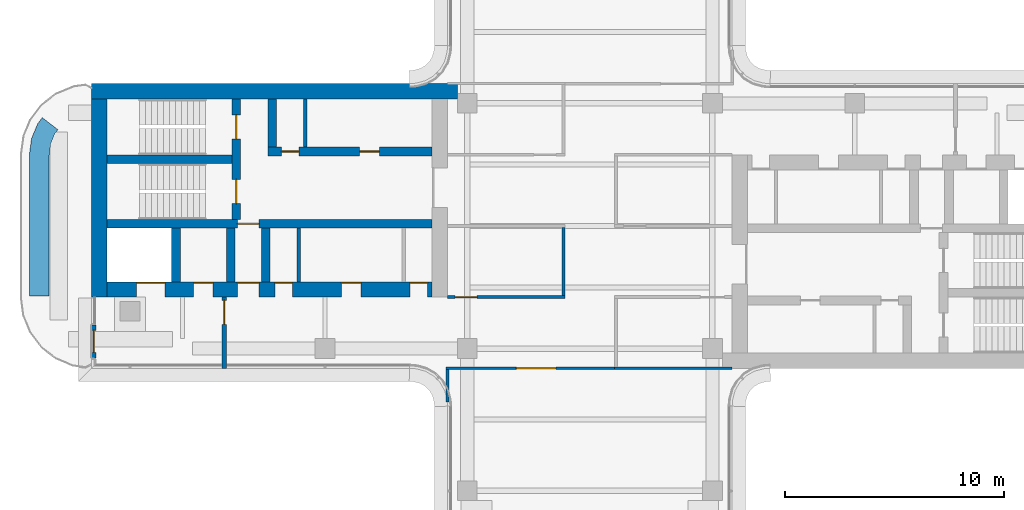
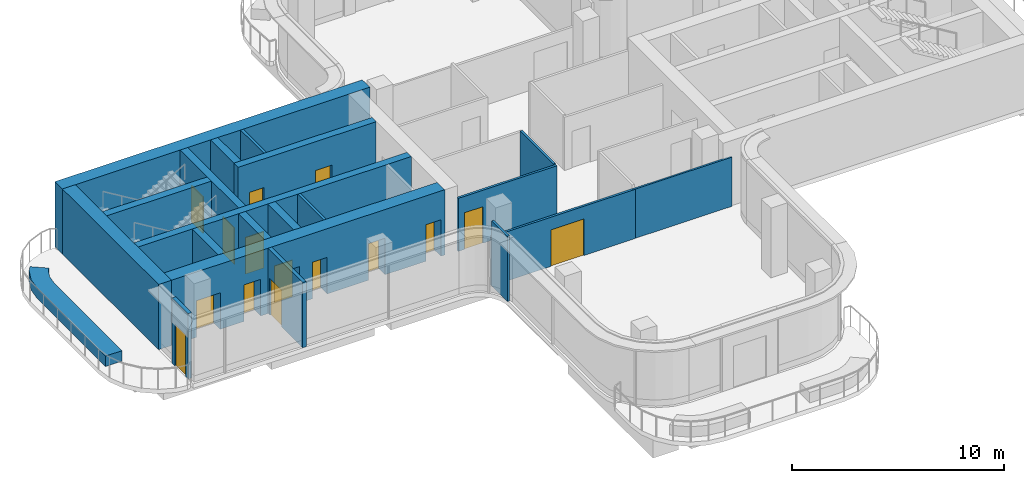
# One storey, part 14 of 18: 21 walls, 15 doors, 15 openings.
"""IFC4 building model written with IfcOpenShell, lengths in metres."""

from ifc_helpers import new_model, si_unit, direction, frame, frame_2d, origin, place, context, subcontext, project, spatial, polyline, rectangle, outline, extrude, source, transform, mapped, material, layer, layer_set, type_object, element, fill, save


model = new_model("IFC4")

# Units and contexts
model_context = context("Model", 3, precision=1e-05, world=origin(), true_north=direction((0.0, 1.0)))
body_context = subcontext(model_context, "Body", "Model", "MODEL_VIEW")
ifc_project = project(units=[si_unit("LENGTHUNIT", "METRE"), si_unit("AREAUNIT", "SQUARE_METRE"), si_unit("VOLUMEUNIT", "CUBIC_METRE"), si_unit("PLANEANGLEUNIT", "RADIAN"), si_unit("MASSUNIT", "GRAM", prefix="KILO")], contexts=[model_context])

# Site, building, storey
site_placement = place(None, origin())
site = spatial("IfcSite", under=ifc_project, at=site_placement, CompositionType="ELEMENT")
building_placement = place(site_placement, origin())
building = spatial("IfcBuilding", under=site, at=building_placement, Name="Trellis Farm Tower", CompositionType="ELEMENT")
storey_placement = place(building_placement, frame((0.0, 0.0, 338.10009765625)))
storey = spatial("IfcBuildingStorey", under=building, at=storey_placement, Name="L76", CompositionType="ELEMENT", Elevation=338.10009765625)

# Walls
ifc_material_1 = material(Name="Sandstone faced masonry planter", Category="masonry")
ifc_layer_1 = layer(ifc_material_1, 0.89990234375)
ifc_layer_set_1 = layer_set([ifc_layer_1], Name="TERRACE PLANTER BED 900")
wall_type_1 = type_object("IfcWallType", Name="TERRACE PLANTER BED 900", PredefinedType="USERDEFINED", material=ifc_layer_set_1)
wall_1_placement = place(storey_placement, origin())
element("IfcWall", 1, at=wall_1_placement, inside=storey, type_object=wall_type_1, Name="PLANTER bed", ObjectType="PLANTER", PredefinedType="USERDEFINED", context=body_context, shape_type="SweptSolid", body=[
    extrude(outline(polyline([(-25.60009765625, 3.223876953125), (-25.49951171875, 3.98681640625), (-25.215087890625, 4.67333984375), (-25.007080078125, 4.944580078125), (-24.29296875, 4.396728515625), (-24.428955078125, 4.219482421875), (-24.622802734375, 3.751708984375), (-24.699951171875, 3.164794921875), (-24.699951171875, -3.1943359375), (-25.60009765625, -3.1943359375), (-25.60009765625, 3.223876953125)])), origin(), (0.0, 0.0, 1.0), 0.599853515625),
])
ifc_material_2 = material(Name="Concrete C50/60", Category="concrete")
ifc_layer_2 = layer(ifc_material_2, 0.699951171875)
ifc_layer_set_2 = layer_set([ifc_layer_2], Name="CORE OUTER WALL 700 CONCRETE C50/60")
wall_type_2 = type_object("IfcWallType", Name="CORE OUTER WALL 700 CONCRETE C50/60", PredefinedType="SHEAR", material=ifc_layer_set_2)
shared_shape_1 = source(origin(), body_context, "Body", "SweptSolid", [
    extrude(rectangle(XDim=9.050048828125, YDim=0.699951171875, at=frame_2d((4.52490234375, 0.0))), origin(), (0.0, 0.0, 1.0), 3.75),
])
wall_2_placement = place(storey_placement, frame((-22.39990234375, 5.800048828125, 0.0), z_axis=(0.0, 0.0, 1.0), x_axis=(0.0, -1.0, 0.0)))
element("IfcWall", 2, at=wall_2_placement, inside=storey, type_object=wall_type_2, Name="Core wall", PredefinedType="SHEAR", context=body_context, shape_type="MappedRepresentation", body=[
    mapped(shared_shape_1, transform((0.0, 0.0, 0.0))),
])
ifc_layer_3 = layer(ifc_material_2, 0.39990234375)
ifc_layer_set_3 = layer_set([ifc_layer_3], Name="CORE INNER WALL 400 CONCRETE C50/60")
wall_type_3 = type_object("IfcWallType", Name="CORE INNER WALL 400 CONCRETE C50/60", PredefinedType="SHEAR", material=ifc_layer_set_3)
shared_shape_2 = source(origin(), body_context, "Body", "SweptSolid", [
    extrude(rectangle(XDim=2.449951171875, YDim=0.39990234375, at=frame_2d((1.22509765625, 0.0))), origin(), (0.0, 0.0, 1.0), 3.75),
])
for number, where, z_axis, x_axis, name in (
    (3, (-14.800048828125, -0.10009765625, 0.0), (0.0, 0.0, 1.0), (0.0, -1.0, 0.0), "Core wall"),
    (4, (-16.39990234375, -0.10009765625, 0.0), (0.0, 0.0, 1.0), (0.0, -1.0, 0.0), "Core wall"),
    (5, (-18.89990234375, -0.10009765625, 0.0), (0.0, 0.0, 1.0), (0.0, -1.0, 0.0), "Core wall"),
):
    element("IfcWall", number, at=place(storey_placement, frame(where, z_axis=z_axis, x_axis=x_axis)), inside=storey, type_object=wall_type_3, Name=name, PredefinedType="SHEAR", context=body_context, shape_type="MappedRepresentation", body=[
        mapped(shared_shape_2, transform((0.0, 0.0, 0.0))),
    ])
ifc_material_3 = material(Name="Masonry blockwork", Category="masonry")
ifc_layer_4 = layer(ifc_material_3, 0.14990234375)
ifc_layer_set_4 = layer_set([ifc_layer_4], Name="CORE PARTITION 150 BLOCKWORK")
wall_type_4 = type_object("IfcWallType", Name="CORE PARTITION 150 BLOCKWORK", PredefinedType="PARTITIONING", material=ifc_layer_set_4)
shared_shape_3 = source(origin(), body_context, "Body", "SweptSolid", [
    extrude(rectangle(XDim=2.449951171875, YDim=0.14990234375, at=frame_2d((1.22509765625, 0.0))), origin(), (0.0, 0.0, 1.0), 3.75),
])
wall_3_placement = place(storey_placement, frame((-13.300048828125, -0.10009765625, 0.0), z_axis=(0.0, 0.0, 1.0), x_axis=(0.0, -1.0, 0.0)))
element("IfcWall", 6, at=wall_3_placement, inside=storey, type_object=wall_type_4, Name="Core room partition", PredefinedType="PARTITIONING", context=body_context, shape_type="MappedRepresentation", body=[
    mapped(shared_shape_3, transform((0.0, 0.0, 0.0))),
])
shared_shape_4 = source(origin(), body_context, "Body", "SweptSolid", [
    extrude(rectangle(XDim=16.699951171875, YDim=0.699951171875, at=frame_2d((8.35009765625, 0.0))), origin(), (0.0, 0.0, 1.0), 3.75),
])
wall_4_placement = place(storey_placement, frame((-6.050048828125, 6.14990234375, 0.0), z_axis=(0.0, 0.0, 1.0), x_axis=(-1.0, 0.0, 0.0)))
element("IfcWall", 7, at=wall_4_placement, inside=storey, type_object=wall_type_2, Name="Core wall", PredefinedType="SHEAR", context=body_context, shape_type="MappedRepresentation", body=[
    mapped(shared_shape_4, transform((0.0, 0.0, 0.0))),
])

# Wall, openings, doors
shared_shape_5 = source(origin(), body_context, "Body", "SweptSolid", [
    extrude(rectangle(XDim=14.85009765625, YDim=0.699951171875, at=frame_2d((7.425048828125, 0.0))), origin(), (0.0, 0.0, 1.0), 3.75),
])
wall_5_placement = place(storey_placement, frame((-7.199951171875, -2.89990234375, 0.0), z_axis=(0.0, 0.0, 1.0), x_axis=(-1.0, 0.0, 0.0)))
wall_5 = element("IfcWall", 8, at=wall_5_placement, inside=storey, type_object=wall_type_2, Name="Core wall", PredefinedType="SHEAR", context=body_context, shape_type="MappedRepresentation", body=[
    mapped(shared_shape_5, transform((0.0, 0.0, 0.0))),
])
shared_shape_6 = source(origin(), body_context, "Body", "SweptSolid", [
    extrude(rectangle(XDim=1.300048828125, YDim=2.10009765625, at=frame_2d((0.64990234375, 1.050048828125))), frame((0.0, 0.360107421875, 0.0), z_axis=(0.0, -1.0, 0.0), x_axis=(1.0, 0.0, 0.0)), (0.0, 0.0, 1.0), 0.72021484375),
])
opening_1_placement = place(wall_5_placement, frame((12.199951171875, 0.0, 0.0)))
opening_1 = element("IfcOpeningElement", 9, at=opening_1_placement, cuts=wall_5, Name="Opening LD15", PredefinedType="OPENING", context=body_context, shape_type="MappedRepresentation", body=[
    mapped(shared_shape_6, transform((0.0, 0.0, 0.0))),
])
shared_shape_7 = source(origin(), body_context, "Body", "SweptSolid", [
    extrude(rectangle(XDim=1.0, YDim=2.10009765625, at=frame_2d((0.5, 1.050048828125))), frame((0.0, 0.360107421875, 0.0), z_axis=(0.0, -1.0, 0.0), x_axis=(1.0, 0.0, 0.0)), (0.0, 0.0, 1.0), 0.72021484375),
])
opening_2_placement = place(wall_5_placement, frame((7.89990234375, 0.0, 0.0)))
opening_2 = element("IfcOpeningElement", 10, at=opening_2_placement, cuts=wall_5, Name="Opening DC92", PredefinedType="OPENING", context=body_context, shape_type="MappedRepresentation", body=[
    mapped(shared_shape_7, transform((0.0, 0.0, 0.0))),
])
shared_shape_8 = source(origin(), body_context, "Body", "SweptSolid", [
    extrude(rectangle(XDim=0.800048828125, YDim=2.10009765625, at=frame_2d((0.39990234375, 1.050048828125))), frame((0.0, 0.360107421875, 0.0), z_axis=(0.0, -1.0, 0.0), x_axis=(1.0, 0.0, 0.0)), (0.0, 0.0, 1.0), 0.72021484375),
])
opening_3_placement = place(wall_5_placement, frame((0.21240234375, 0.0, 0.0)))
opening_3 = element("IfcOpeningElement", 11, at=opening_3_placement, cuts=wall_5, Name="Opening DC95", PredefinedType="OPENING", context=body_context, shape_type="MappedRepresentation", body=[
    mapped(shared_shape_8, transform((0.0, 0.0, 0.0))),
])
shared_shape_9 = source(origin(), body_context, "Body", "SweptSolid", [
    extrude(rectangle(XDim=0.89990234375, YDim=2.10009765625, at=frame_2d((0.449951171875, 1.050048828125))), frame((0.0, 0.360107421875, 0.0), z_axis=(0.0, -1.0, 0.0), x_axis=(1.0, 0.0, 0.0)), (0.0, 0.0, 1.0), 0.72021484375),
])
opening_4_placement = place(wall_5_placement, frame((3.25, 0.0, 0.0)))
opening_4 = element("IfcOpeningElement", 12, at=opening_4_placement, cuts=wall_5, Name="Opening DC104", PredefinedType="OPENING", context=body_context, shape_type="MappedRepresentation", body=[
    mapped(shared_shape_9, transform((0.0, 0.0, 0.0))),
])
opening_5_placement = place(wall_5_placement, frame((6.387451171875, 0.0, 0.0)))
opening_5 = element("IfcOpeningElement", 13, at=opening_5_placement, cuts=wall_5, Name="Opening DC107", PredefinedType="OPENING", context=body_context, shape_type="MappedRepresentation", body=[
    mapped(shared_shape_8, transform((0.0, 0.0, 0.0))),
])
opening_6_placement = place(wall_5_placement, frame((10.0, 0.0, 0.0)))
opening_6 = element("IfcOpeningElement", 14, at=opening_6_placement, cuts=wall_5, Name="Opening DC134", PredefinedType="OPENING", context=body_context, shape_type="MappedRepresentation", body=[
    mapped(shared_shape_9, transform((0.0, 0.0, 0.0))),
])
ifc_material_4 = material(Name="Steel", Category="steel")
door_type_1 = type_object("IfcDoorType", Name="CORE FIRE DOOR 1000 X 2100", OperationType="NOTDEFINED", PredefinedType="DOOR", material=ifc_material_4)
shared_shape_10 = source(origin(), body_context, "Body", "SweptSolid", [
    extrude(rectangle(XDim=1.0, YDim=2.10009765625, at=frame_2d((0.5, 1.050048828125))), frame((0.0, -0.27490234375, 0.0), z_axis=(0.0, -1.0, 0.0), x_axis=(1.0, 0.0, 0.0)), (0.0, 0.0, 1.0), 0.050048828125),
])
door_1_placement = place(opening_2_placement, origin())
door_1 = element("IfcDoor", 15, at=door_1_placement, inside=storey, type_object=door_type_1, Name="Core door", OperationType="SINGLE_SWING_LEFT", OverallHeight=2.10009765625, OverallWidth=1.0, PredefinedType="DOOR", context=body_context, shape_type="MappedRepresentation", body=[
    mapped(shared_shape_10, transform((0.0, 0.0, 0.0))),
])
fill(opening_2, door_1)
door_type_2 = type_object("IfcDoorType", Name="CORE FIRE DOOR 900 X 2100", OperationType="NOTDEFINED", PredefinedType="DOOR", material=ifc_material_4)
shared_shape_11 = source(origin(), body_context, "Body", "SweptSolid", [
    extrude(rectangle(XDim=0.89990234375, YDim=2.10009765625, at=frame_2d((0.449951171875, 1.050048828125))), frame((0.0, -0.27490234375, 0.0), z_axis=(0.0, -1.0, 0.0), x_axis=(1.0, 0.0, 0.0)), (0.0, 0.0, 1.0), 0.050048828125),
])
door_2_placement = place(opening_4_placement, origin())
door_2 = element("IfcDoor", 16, at=door_2_placement, inside=storey, type_object=door_type_2, Name="Core door", OperationType="SINGLE_SWING_RIGHT", OverallHeight=2.10009765625, OverallWidth=0.89990234375, PredefinedType="DOOR", context=body_context, shape_type="MappedRepresentation", body=[
    mapped(shared_shape_11, transform((0.0, 0.0, 0.0))),
])
fill(opening_4, door_2)
door_3_placement = place(opening_6_placement, origin())
door_3 = element("IfcDoor", 17, at=door_3_placement, inside=storey, type_object=door_type_2, Name="Core door", OperationType="SINGLE_SWING_RIGHT", OverallHeight=2.10009765625, OverallWidth=0.89990234375, PredefinedType="DOOR", context=body_context, shape_type="MappedRepresentation", body=[
    mapped(shared_shape_11, transform((0.0, 0.0, 0.0))),
])
fill(opening_6, door_3)
ifc_material_5 = material(Name="Stainless steel", Category="steel")
door_type_3 = type_object("IfcDoorType", Name="LIFT LANDING DOOR 1300 X 2100", OperationType="DOUBLE_DOOR_SLIDING", PredefinedType="DOOR", material=ifc_material_5)
shared_shape_12 = source(origin(), body_context, "Body", "SweptSolid", [
    extrude(rectangle(XDim=1.300048828125, YDim=2.10009765625, at=frame_2d((0.64990234375, 1.050048828125))), frame((0.0, -0.27490234375, 0.0), z_axis=(0.0, -1.0, 0.0), x_axis=(1.0, 0.0, 0.0)), (0.0, 0.0, 1.0), 0.050048828125),
])
door_4_placement = place(opening_1_placement, origin())
door_4 = element("IfcDoor", 18, at=door_4_placement, inside=storey, type_object=door_type_3, Name="Lift landing door", OperationType="DOUBLE_DOOR_SLIDING", OverallHeight=2.10009765625, OverallWidth=1.300048828125, PredefinedType="DOOR", context=body_context, shape_type="MappedRepresentation", body=[
    mapped(shared_shape_12, transform((0.0, 0.0, 0.0))),
])
fill(opening_1, door_4)
door_type_4 = type_object("IfcDoorType", Name="CORE FIRE DOOR 800 X 2100", OperationType="NOTDEFINED", PredefinedType="DOOR", material=ifc_material_4)
shared_shape_13 = source(origin(), body_context, "Body", "SweptSolid", [
    extrude(rectangle(XDim=0.800048828125, YDim=2.10009765625, at=frame_2d((0.39990234375, 1.050048828125))), frame((0.0, -0.27490234375, 0.0), z_axis=(0.0, -1.0, 0.0), x_axis=(1.0, 0.0, 0.0)), (0.0, 0.0, 1.0), 0.050048828125),
])
door_5_placement = place(opening_3_placement, origin())
door_5 = element("IfcDoor", 19, at=door_5_placement, inside=storey, type_object=door_type_4, Name="Core door", OperationType="SINGLE_SWING_LEFT", OverallHeight=2.10009765625, OverallWidth=0.800048828125, PredefinedType="DOOR", context=body_context, shape_type="MappedRepresentation", body=[
    mapped(shared_shape_13, transform((0.0, 0.0, 0.0))),
])
fill(opening_3, door_5)
door_6_placement = place(opening_5_placement, origin())
door_6 = element("IfcDoor", 20, at=door_6_placement, inside=storey, type_object=door_type_4, Name="Core door", OperationType="SINGLE_SWING_LEFT", OverallHeight=2.10009765625, OverallWidth=0.800048828125, PredefinedType="DOOR", context=body_context, shape_type="MappedRepresentation", body=[
    mapped(shared_shape_13, transform((0.0, 0.0, 0.0))),
])
fill(opening_5, door_6)

shared_shape_14 = source(origin(), body_context, "Body", "SweptSolid", [
    extrude(rectangle(XDim=7.5, YDim=0.39990234375, at=frame_2d((3.75, 0.0))), origin(), (0.0, 0.0, 1.0), 3.75),
])
wall_6_placement = place(storey_placement, frame((-7.199951171875, 3.39990234375, 0.0), z_axis=(0.0, 0.0, 1.0), x_axis=(-1.0, 0.0, 0.0)))
wall_6 = element("IfcWall", 21, at=wall_6_placement, inside=storey, type_object=wall_type_3, Name="Core wall", PredefinedType="SHEAR", context=body_context, shape_type="MappedRepresentation", body=[
    mapped(shared_shape_14, transform((0.0, 0.0, 0.0))),
])
shared_shape_15 = source(origin(), body_context, "Body", "SweptSolid", [
    extrude(rectangle(XDim=0.89990234375, YDim=2.10009765625, at=frame_2d((0.449951171875, 1.050048828125))), frame((0.0, 0.2099609375, 0.0), z_axis=(0.0, -1.0, 0.0), x_axis=(1.0, 0.0, 0.0)), (0.0, 0.0, 1.0), 0.419921875),
])
opening_7_placement = place(wall_6_placement, frame((2.41259765625, 0.0, 0.0)))
opening_7 = element("IfcOpeningElement", 22, at=opening_7_placement, cuts=wall_6, Name="Opening DC139", PredefinedType="OPENING", context=body_context, shape_type="MappedRepresentation", body=[
    mapped(shared_shape_15, transform((0.0, 0.0, 0.0))),
])
shared_shape_16 = source(origin(), body_context, "Body", "SweptSolid", [
    extrude(rectangle(XDim=0.800048828125, YDim=2.10009765625, at=frame_2d((0.39990234375, 1.050048828125))), frame((0.0, 0.2099609375, 0.0), z_axis=(0.0, -1.0, 0.0), x_axis=(1.0, 0.0, 0.0)), (0.0, 0.0, 1.0), 0.419921875),
])
opening_8_placement = place(wall_6_placement, frame((6.08740234375, 0.0, 0.0)))
opening_8 = element("IfcOpeningElement", 23, at=opening_8_placement, cuts=wall_6, Name="Opening DC144", PredefinedType="OPENING", context=body_context, shape_type="MappedRepresentation", body=[
    mapped(shared_shape_16, transform((0.0, 0.0, 0.0))),
])
shared_shape_17 = source(origin(), body_context, "Body", "SweptSolid", [
    extrude(rectangle(XDim=0.89990234375, YDim=2.10009765625, at=frame_2d((0.449951171875, 1.050048828125))), frame((0.0, 0.02490234375, 0.0), z_axis=(0.0, -1.0, 0.0), x_axis=(1.0, 0.0, 0.0)), (0.0, 0.0, 1.0), 0.050048828125),
])
door_7_placement = place(opening_7_placement, origin())
door_7 = element("IfcDoor", 24, at=door_7_placement, inside=storey, type_object=door_type_2, Name="Core door", OperationType="SINGLE_SWING_LEFT", OverallHeight=2.10009765625, OverallWidth=0.89990234375, PredefinedType="DOOR", context=body_context, shape_type="MappedRepresentation", body=[
    mapped(shared_shape_17, transform((0.0, 0.0, 0.0))),
])
fill(opening_7, door_7)
shared_shape_18 = source(origin(), body_context, "Body", "SweptSolid", [
    extrude(rectangle(XDim=0.800048828125, YDim=2.10009765625, at=frame_2d((0.39990234375, 1.050048828125))), frame((0.0, 0.02490234375, 0.0), z_axis=(0.0, -1.0, 0.0), x_axis=(1.0, 0.0, 0.0)), (0.0, 0.0, 1.0), 0.050048828125),
])
door_8_placement = place(opening_8_placement, origin())
door_8 = element("IfcDoor", 25, at=door_8_placement, inside=storey, type_object=door_type_4, Name="Core door", OperationType="SINGLE_SWING_RIGHT", OverallHeight=2.10009765625, OverallWidth=0.800048828125, PredefinedType="DOOR", context=body_context, shape_type="MappedRepresentation", body=[
    mapped(shared_shape_18, transform((0.0, 0.0, 0.0))),
])
fill(opening_8, door_8)

# Wall, opening, door
shared_shape_19 = source(origin(), body_context, "Body", "SweptSolid", [
    extrude(rectangle(XDim=14.85009765625, YDim=0.39990234375, at=frame_2d((7.425048828125, 0.0))), origin(), (0.0, 0.0, 1.0), 3.75),
])
wall_7_placement = place(storey_placement, frame((-7.199951171875, 0.10009765625, 0.0), z_axis=(0.0, 0.0, 1.0), x_axis=(-1.0, 0.0, 0.0)))
wall_7 = element("IfcWall", 26, at=wall_7_placement, inside=storey, type_object=wall_type_3, Name="Core wall", PredefinedType="SHEAR", context=body_context, shape_type="MappedRepresentation", body=[
    mapped(shared_shape_19, transform((0.0, 0.0, 0.0))),
])
shared_shape_20 = source(origin(), body_context, "Body", "SweptSolid", [
    extrude(rectangle(XDim=1.0, YDim=2.10009765625, at=frame_2d((0.5, 1.050048828125))), frame((0.0, 0.2099609375, 0.0), z_axis=(0.0, -1.0, 0.0), x_axis=(1.0, 0.0, 0.0)), (0.0, 0.0, 1.0), 0.419921875),
])
opening_9_placement = place(wall_7_placement, frame((7.89990234375, 0.0, 0.0)))
opening_9 = element("IfcOpeningElement", 27, at=opening_9_placement, cuts=wall_7, Name="Opening DC91", PredefinedType="OPENING", context=body_context, shape_type="MappedRepresentation", body=[
    mapped(shared_shape_20, transform((0.0, 0.0, 0.0))),
])
shared_shape_21 = source(origin(), body_context, "Body", "SweptSolid", [
    extrude(rectangle(XDim=1.0, YDim=2.10009765625, at=frame_2d((0.5, 1.050048828125))), frame((0.0, 0.02490234375, 0.0), z_axis=(0.0, -1.0, 0.0), x_axis=(1.0, 0.0, 0.0)), (0.0, 0.0, 1.0), 0.050048828125),
])
door_9_placement = place(opening_9_placement, origin())
door_9 = element("IfcDoor", 28, at=door_9_placement, inside=storey, type_object=door_type_1, Name="Core door", OperationType="SINGLE_SWING_RIGHT", OverallHeight=2.10009765625, OverallWidth=1.0, PredefinedType="DOOR", context=body_context, shape_type="MappedRepresentation", body=[
    mapped(shared_shape_21, transform((0.0, 0.0, 0.0))),
])
fill(opening_9, door_9)

# Wall, openings, doors
shared_shape_22 = source(origin(), body_context, "Body", "SweptSolid", [
    extrude(rectangle(XDim=5.5, YDim=0.39990234375, at=frame_2d((2.75, 0.0))), origin(), (0.0, 0.0, 1.0), 3.75),
])
wall_8_placement = place(storey_placement, frame((-16.14990234375, 5.800048828125, 0.0), z_axis=(0.0, 0.0, 1.0), x_axis=(0.0, -1.0, 0.0)))
wall_8 = element("IfcWall", 29, at=wall_8_placement, inside=storey, type_object=wall_type_3, Name="Core wall", PredefinedType="SHEAR", context=body_context, shape_type="MappedRepresentation", body=[
    mapped(shared_shape_22, transform((0.0, 0.0, 0.0))),
])
shared_shape_23 = source(origin(), body_context, "Body", "SweptSolid", [
    extrude(rectangle(XDim=1.10009765625, YDim=2.10009765625, at=frame_2d((0.550048828125, 1.050048828125))), frame((0.0, 0.2099609375, 0.0), z_axis=(0.0, -1.0, 0.0), x_axis=(1.0, 0.0, 0.0)), (0.0, 0.0, 1.0), 0.419921875),
])
opening_10_placement = place(wall_8_placement, frame((0.72509765625, 0.0, 0.0)))
opening_10 = element("IfcOpeningElement", 30, at=opening_10_placement, cuts=wall_8, Name="Opening DC88", PredefinedType="OPENING", context=body_context, shape_type="MappedRepresentation", body=[
    mapped(shared_shape_23, transform((0.0, 0.0, 0.0))),
])
opening_11_placement = place(wall_8_placement, frame((3.675048828125, 0.0, 0.0)))
opening_11 = element("IfcOpeningElement", 31, at=opening_11_placement, cuts=wall_8, Name="Opening DC89", PredefinedType="OPENING", context=body_context, shape_type="MappedRepresentation", body=[
    mapped(shared_shape_23, transform((0.0, 0.0, 0.0))),
])
door_type_5 = type_object("IfcDoorType", Name="CORE FIRE DOOR 1100 X 2100", OperationType="NOTDEFINED", PredefinedType="DOOR", material=ifc_material_4)
shared_shape_24 = source(origin(), body_context, "Body", "SweptSolid", [
    extrude(rectangle(XDim=1.10009765625, YDim=2.10009765625, at=frame_2d((0.550048828125, 1.050048828125))), frame((0.0, 0.02490234375, 0.0), z_axis=(0.0, -1.0, 0.0), x_axis=(1.0, 0.0, 0.0)), (0.0, 0.0, 1.0), 0.050048828125),
])
door_10_placement = place(opening_10_placement, origin())
door_10 = element("IfcDoor", 32, at=door_10_placement, inside=storey, type_object=door_type_5, Name="Core door", OperationType="SINGLE_SWING_RIGHT", OverallHeight=2.10009765625, OverallWidth=1.10009765625, PredefinedType="DOOR", context=body_context, shape_type="MappedRepresentation", body=[
    mapped(shared_shape_24, transform((0.0, 0.0, 0.0))),
])
fill(opening_10, door_10)
door_11_placement = place(opening_11_placement, origin())
door_11 = element("IfcDoor", 33, at=door_11_placement, inside=storey, type_object=door_type_5, Name="Core door", OperationType="SINGLE_SWING_LEFT", OverallHeight=2.10009765625, OverallWidth=1.10009765625, PredefinedType="DOOR", context=body_context, shape_type="MappedRepresentation", body=[
    mapped(shared_shape_24, transform((0.0, 0.0, 0.0))),
])
fill(opening_11, door_11)

# Walls
shared_shape_25 = source(origin(), body_context, "Body", "SweptSolid", [
    extrude(rectangle(XDim=5.699951171875, YDim=0.39990234375, at=frame_2d((2.85009765625, 0.0))), origin(), (0.0, 0.0, 1.0), 3.75),
])
wall_9_placement = place(storey_placement, frame((-16.35009765625, 3.050048828125, 0.0), z_axis=(0.0, 0.0, 1.0), x_axis=(-1.0, 0.0, 0.0)))
element("IfcWall", 34, at=wall_9_placement, inside=storey, type_object=wall_type_3, Name="Core wall", PredefinedType="SHEAR", context=body_context, shape_type="MappedRepresentation", body=[
    mapped(shared_shape_25, transform((0.0, 0.0, 0.0))),
])
shared_shape_26 = source(origin(), body_context, "Body", "SweptSolid", [
    extrude(rectangle(XDim=2.199951171875, YDim=0.39990234375, at=frame_2d((1.10009765625, 0.0))), origin(), (0.0, 0.0, 1.0), 3.75),
])
wall_10_placement = place(storey_placement, frame((-14.5, 5.800048828125, 0.0), z_axis=(0.0, 0.0, 1.0), x_axis=(0.0, -1.0, 0.0)))
element("IfcWall", 35, at=wall_10_placement, inside=storey, type_object=wall_type_3, Name="Core wall", PredefinedType="SHEAR", context=body_context, shape_type="MappedRepresentation", body=[
    mapped(shared_shape_26, transform((0.0, 0.0, 0.0))),
])

# Wall, opening, door
ifc_layer_5 = layer(ifc_material_3, 0.199951171875)
ifc_layer_set_5 = layer_set([ifc_layer_5], Name="FIRE LOBBY PARTITION 200 BLOCKWORK")
wall_type_5 = type_object("IfcWallType", Name="FIRE LOBBY PARTITION 200 BLOCKWORK", PredefinedType="PARTITIONING", material=ifc_layer_set_5)
shared_shape_27 = source(origin(), body_context, "Body", "SweptSolid", [
    extrude(rectangle(XDim=3.25, YDim=0.199951171875, at=frame_2d((1.625, 0.0))), origin(), (0.0, 0.0, 1.0), 3.75),
])
wall_11_placement = place(storey_placement, frame((-16.699951171875, -3.25, 0.0), z_axis=(0.0, 0.0, 1.0), x_axis=(0.0, -1.0, 0.0)))
wall_11 = element("IfcWall", 36, at=wall_11_placement, inside=storey, type_object=wall_type_5, Name="Fire-fighting lobby partition", PredefinedType="PARTITIONING", context=body_context, shape_type="MappedRepresentation", body=[
    mapped(shared_shape_27, transform((0.0, 0.0, 0.0))),
])
shared_shape_28 = source(origin(), body_context, "Body", "SweptSolid", [
    extrude(rectangle(XDim=1.10009765625, YDim=2.10009765625, at=frame_2d((0.550048828125, 1.050048828125))), frame((0.0, 0.110107421875, 0.0), z_axis=(0.0, -1.0, 0.0), x_axis=(1.0, 0.0, 0.0)), (0.0, 0.0, 1.0), 0.22021484375),
])
opening_12_placement = place(wall_11_placement, frame((0.14990234375, 0.0, 0.0)))
opening_12 = element("IfcOpeningElement", 37, at=opening_12_placement, cuts=wall_11, Name="Opening DC93", PredefinedType="OPENING", context=body_context, shape_type="MappedRepresentation", body=[
    mapped(shared_shape_28, transform((0.0, 0.0, 0.0))),
])
door_12_placement = place(opening_12_placement, origin())
door_12 = element("IfcDoor", 38, at=door_12_placement, inside=storey, type_object=door_type_5, Name="Core door", OperationType="SINGLE_SWING_RIGHT", OverallHeight=2.10009765625, OverallWidth=1.10009765625, PredefinedType="DOOR", context=body_context, shape_type="MappedRepresentation", body=[
    mapped(shared_shape_24, transform((0.0, 0.0, 0.0))),
])
fill(opening_12, door_12)

# Wall
shared_shape_29 = source(origin(), body_context, "Body", "SweptSolid", [
    extrude(rectangle(XDim=2.199951171875, YDim=0.14990234375, at=frame_2d((1.10009765625, 0.0))), origin(), (0.0, 0.0, 1.0), 3.75),
])
wall_12_placement = place(storey_placement, frame((-13.0, 5.800048828125, 0.0), z_axis=(0.0, 0.0, 1.0), x_axis=(0.0, -1.0, 0.0)))
element("IfcWall", 39, at=wall_12_placement, inside=storey, type_object=wall_type_4, Name="Core room partition", PredefinedType="PARTITIONING", context=body_context, shape_type="MappedRepresentation", body=[
    mapped(shared_shape_29, transform((0.0, 0.0, 0.0))),
])

# Wall, opening, door
ifc_material_6 = material(Name="Sandstone faced insulated wall", Category="masonry")
ifc_layer_6 = layer(ifc_material_6, 0.199951171875)
ifc_layer_set_6 = layer_set([ifc_layer_6], Name="EXTERNAL INFILL WALL 200")
wall_type_6 = type_object("IfcWallType", Name="EXTERNAL INFILL WALL 200", PredefinedType="SOLIDWALL", material=ifc_layer_set_6)
shared_shape_30 = source(origin(), body_context, "Body", "SweptSolid", [
    extrude(rectangle(XDim=1.5, YDim=0.199951171875, at=frame_2d((0.75, 0.0))), origin(), (0.0, 0.0, 1.0), 3.75),
])
wall_13_placement = place(storey_placement, frame((-22.64990234375, -4.52001953125, 0.0), z_axis=(0.0, 0.0, 1.0), x_axis=(0.0, -1.0, 0.0)))
wall_13 = element("IfcWall", 40, at=wall_13_placement, inside=storey, type_object=wall_type_6, Name="EW1 04", PredefinedType="SOLIDWALL", context=body_context, shape_type="MappedRepresentation", body=[
    mapped(shared_shape_30, transform((0.0, 0.0, 0.0))),
])
shared_shape_31 = source(origin(), body_context, "Body", "SweptSolid", [
    extrude(rectangle(XDim=1.0, YDim=2.39990234375, at=frame_2d((0.5, 1.199951171875))), frame((0.0, 0.110107421875, 0.0), z_axis=(0.0, -1.0, 0.0), x_axis=(1.0, 0.0, 0.0)), (0.0, 0.0, 1.0), 0.22021484375),
])
opening_13_placement = place(wall_13_placement, frame((0.25, 0.0, 0.0)))
opening_13 = element("IfcOpeningElement", 41, at=opening_13_placement, cuts=wall_13, Name="Opening ED2", PredefinedType="OPENING", context=body_context, shape_type="MappedRepresentation", body=[
    mapped(shared_shape_31, transform((0.0, 0.0, 0.0))),
])
ifc_material_7 = material(Name="Aluminium framed glazed door", Category="aluminium")
door_type_6 = type_object("IfcDoorType", Name="BALCONY DOOR 1000x2400", OperationType="SINGLE_SWING_LEFT", PredefinedType="DOOR", material=ifc_material_7)
shared_shape_32 = source(origin(), body_context, "Body", "SweptSolid", [
    extrude(rectangle(XDim=1.0, YDim=2.39990234375, at=frame_2d((0.5, 1.199951171875))), frame((0.0, 0.02490234375, 0.0), z_axis=(0.0, -1.0, 0.0), x_axis=(1.0, 0.0, 0.0)), (0.0, 0.0, 1.0), 0.050048828125),
])
door_13_placement = place(opening_13_placement, origin())
door_13 = element("IfcDoor", 42, at=door_13_placement, inside=storey, type_object=door_type_6, Name="Balcony door", OperationType="SINGLE_SWING_LEFT", OverallHeight=2.39990234375, OverallWidth=1.0, PredefinedType="DOOR", context=body_context, shape_type="MappedRepresentation", body=[
    mapped(shared_shape_32, transform((0.0, 0.0, 0.0))),
])
fill(opening_13, door_13)

# Walls
ifc_material_8 = material(Name="Plasterboard on steel studs, mineral wool", Category="steel")
ifc_layer_7 = layer(ifc_material_8, 0.125)
ifc_layer_set_7 = layer_set([ifc_layer_7], Name="PARTITION 125 STUD EI 60")
wall_type_7 = type_object("IfcWallType", Name="PARTITION 125 STUD EI 60", PredefinedType="PARTITIONING", material=ifc_layer_set_7)
shared_shape_33 = source(origin(), body_context, "Body", "SweptSolid", [
    extrude(rectangle(XDim=3.125, YDim=0.125, at=frame_2d((1.5625, 0.0))), origin(), (0.0, 0.0, 1.0), 3.11767578125),
])
wall_14_placement = place(storey_placement, frame((-1.199951171875, -0.0625, 0.0), z_axis=(0.0, 0.0, 1.0), x_axis=(0.0, -1.0, 0.0)))
element("IfcWall", 43, at=wall_14_placement, inside=storey, type_object=wall_type_7, Name="Partition PW1", PredefinedType="PARTITIONING", context=body_context, shape_type="MappedRepresentation", body=[
    mapped(shared_shape_33, transform((0.0, 0.0, 0.0))),
])
shared_shape_34 = source(origin(), body_context, "Body", "SweptSolid", [
    extrude(rectangle(XDim=1.468994140625, YDim=0.125, at=frame_2d((0.734375, 0.0))), origin(), (0.0, 0.0, 1.0), 3.75),
])
wall_15_placement = place(storey_placement, frame((-6.5, -6.5625, 0.0), z_axis=(0.0, 0.0, 1.0), x_axis=(0.0, -1.0, 0.0)))
element("IfcWall", 44, at=wall_15_placement, inside=storey, type_object=wall_type_7, Name="Partition PW1", PredefinedType="PARTITIONING", context=body_context, shape_type="MappedRepresentation", body=[
    mapped(shared_shape_34, transform((0.0, 0.0, 0.0))),
])

# Wall, opening, door
shared_shape_35 = source(origin(), body_context, "Body", "SweptSolid", [
    extrude(rectangle(XDim=5.362548828125, YDim=0.125, at=frame_2d((2.68115234375, 0.0))), origin(), (0.0, 0.0, 1.0), 3.04638671875),
])
wall_16_placement = place(storey_placement, frame((-1.137451171875, -3.25, 0.0), z_axis=(0.0, 0.0, 1.0), x_axis=(-1.0, 0.0, 0.0)))
wall_16 = element("IfcWall", 45, at=wall_16_placement, inside=storey, type_object=wall_type_7, Name="Partition PW1", PredefinedType="PARTITIONING", context=body_context, shape_type="MappedRepresentation", body=[
    mapped(shared_shape_35, transform((0.0, 0.0, 0.0))),
])
shared_shape_36 = source(origin(), body_context, "Body", "SweptSolid", [
    extrude(rectangle(XDim=1.0, YDim=2.10009765625, at=frame_2d((0.5, 1.050048828125))), frame((0.0, 0.072509765625, 0.0), z_axis=(0.0, -1.0, 0.0), x_axis=(1.0, 0.0, 0.0)), (0.0, 0.0, 1.0), 0.14501953125),
])
opening_14_placement = place(wall_16_placement, frame((4.012451171875, 0.0, 0.0)))
opening_14 = element("IfcOpeningElement", 46, at=opening_14_placement, cuts=wall_16, Name="Opening D101", PredefinedType="OPENING", context=body_context, shape_type="MappedRepresentation", body=[
    mapped(shared_shape_36, transform((0.0, 0.0, 0.0))),
])
ifc_material_9 = material(Name="Fire-rated timber door leaf in a hollow metal frame", Category="wood")
door_type_7 = type_object("IfcDoorType", Name="DOOR 1000x2100 FD30S", OperationType="NOTDEFINED", PredefinedType="DOOR", material=ifc_material_9)
door_14_placement = place(opening_14_placement, origin())
door_14 = element("IfcDoor", 47, at=door_14_placement, inside=storey, type_object=door_type_7, Name="Door D101", OperationType="SINGLE_SWING_RIGHT", OverallHeight=2.10009765625, OverallWidth=1.0, PredefinedType="DOOR", context=body_context, shape_type="MappedRepresentation", body=[
    mapped(shared_shape_21, transform((0.0, 0.0, 0.0))),
])
fill(opening_14, door_14)

# Wall
ifc_material_10 = material(Name="Plasterboard on steel studs", Category="steel")
ifc_layer_8 = layer(ifc_material_10, 0.10009765625)
ifc_layer_set_8 = layer_set([ifc_layer_8], Name="PARTITION 100 STUD EI 30")
wall_type_8 = type_object("IfcWallType", Name="PARTITION 100 STUD EI 30", PredefinedType="PARTITIONING", material=ifc_layer_set_8)
shared_shape_37 = source(origin(), body_context, "Body", "SweptSolid", [
    extrude(rectangle(XDim=5.362548828125, YDim=0.10009765625, at=frame_2d((2.68115234375, 0.0))), origin(), (0.0, 0.0, 1.0), 2.829833984375),
])
wall_17_placement = place(storey_placement, frame((1.137451171875, -6.5, 0.0), z_axis=(0.0, 0.0, 1.0), x_axis=(1.0, 0.0, 0.0)))
element("IfcWall", 48, at=wall_17_placement, inside=storey, type_object=wall_type_8, Name="Partition PW2", PredefinedType="PARTITIONING", context=body_context, shape_type="MappedRepresentation", body=[
    mapped(shared_shape_37, transform((0.0, 0.0, 0.0))),
])

# Wall, opening, door
shared_shape_38 = source(origin(), body_context, "Body", "SweptSolid", [
    extrude(rectangle(XDim=7.824951171875, YDim=0.125, at=frame_2d((3.91259765625, 0.0))), origin(), (0.0, 0.0, 1.0), 2.829833984375),
])
wall_18_placement = place(storey_placement, frame((1.262451171875, -6.5, 0.0), z_axis=(0.0, 0.0, 1.0), x_axis=(-1.0, 0.0, 0.0)))
wall_18 = element("IfcWall", 49, at=wall_18_placement, inside=storey, type_object=wall_type_7, Name="Partition PW1", PredefinedType="PARTITIONING", context=body_context, shape_type="MappedRepresentation", body=[
    mapped(shared_shape_38, transform((0.0, 0.0, 0.0))),
])
shared_shape_39 = source(origin(), body_context, "Body", "SweptSolid", [
    extrude(rectangle(XDim=1.800048828125, YDim=2.10009765625, at=frame_2d((0.89990234375, 1.050048828125))), frame((0.0, 0.072509765625, 0.0), z_axis=(0.0, -1.0, 0.0), x_axis=(1.0, 0.0, 0.0)), (0.0, 0.0, 1.0), 0.14501953125),
])
opening_15_placement = place(wall_18_placement, frame((2.8125, 0.0, 0.0)))
opening_15 = element("IfcOpeningElement", 50, at=opening_15_placement, cuts=wall_18, Name="Opening D201", PredefinedType="OPENING", context=body_context, shape_type="MappedRepresentation", body=[
    mapped(shared_shape_39, transform((0.0, 0.0, 0.0))),
])
door_type_8 = type_object("IfcDoorType", Name="DOOR PAIR 1800x2100 FD30S", OperationType="NOTDEFINED", PredefinedType="DOOR", material=ifc_material_9)
shared_shape_40 = source(origin(), body_context, "Body", "SweptSolid", [
    extrude(rectangle(XDim=1.800048828125, YDim=2.10009765625, at=frame_2d((0.89990234375, 1.050048828125))), frame((0.0, 0.02490234375, 0.0), z_axis=(0.0, -1.0, 0.0), x_axis=(1.0, 0.0, 0.0)), (0.0, 0.0, 1.0), 0.050048828125),
])
door_15_placement = place(opening_15_placement, origin())
door_15 = element("IfcDoor", 51, at=door_15_placement, inside=storey, type_object=door_type_8, Name="Door D201", OperationType="DOUBLE_DOOR_SINGLE_SWING", OverallHeight=2.10009765625, OverallWidth=1.800048828125, PredefinedType="DOOR", context=body_context, shape_type="MappedRepresentation", body=[
    mapped(shared_shape_40, transform((0.0, 0.0, 0.0))),
])
fill(opening_15, door_15)

save(model, "model.ifc")
